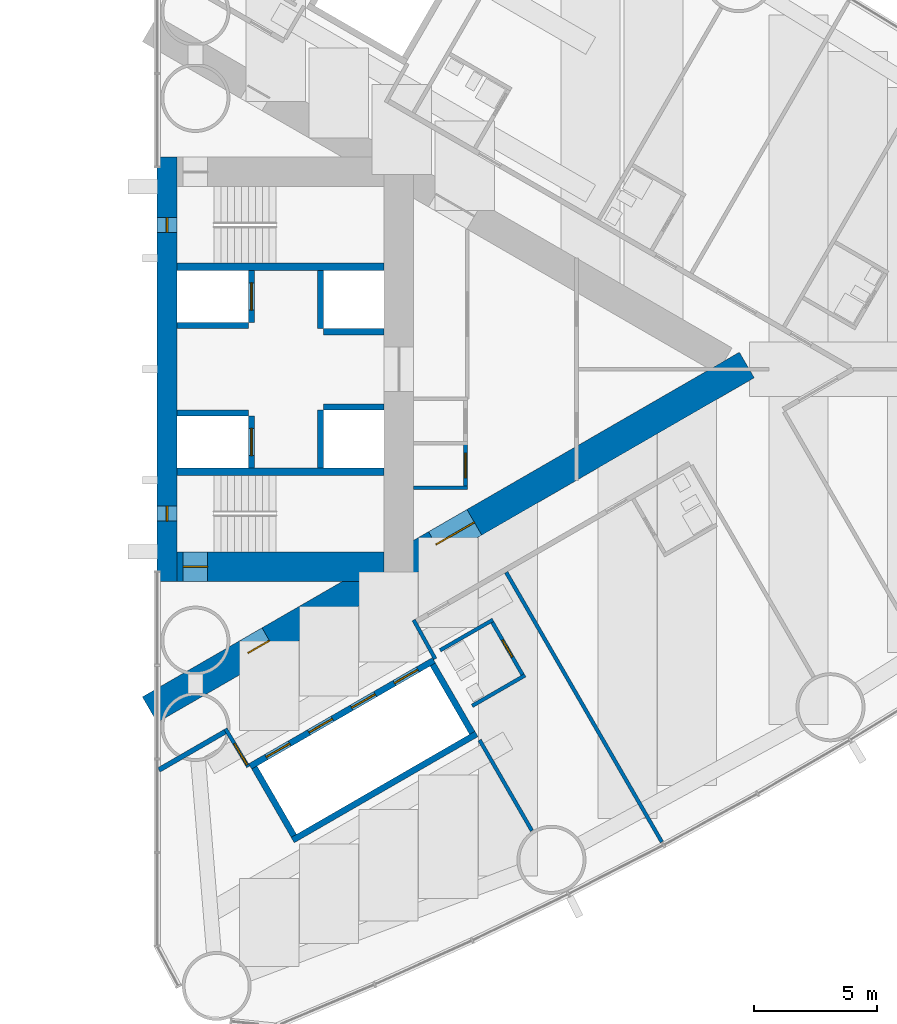
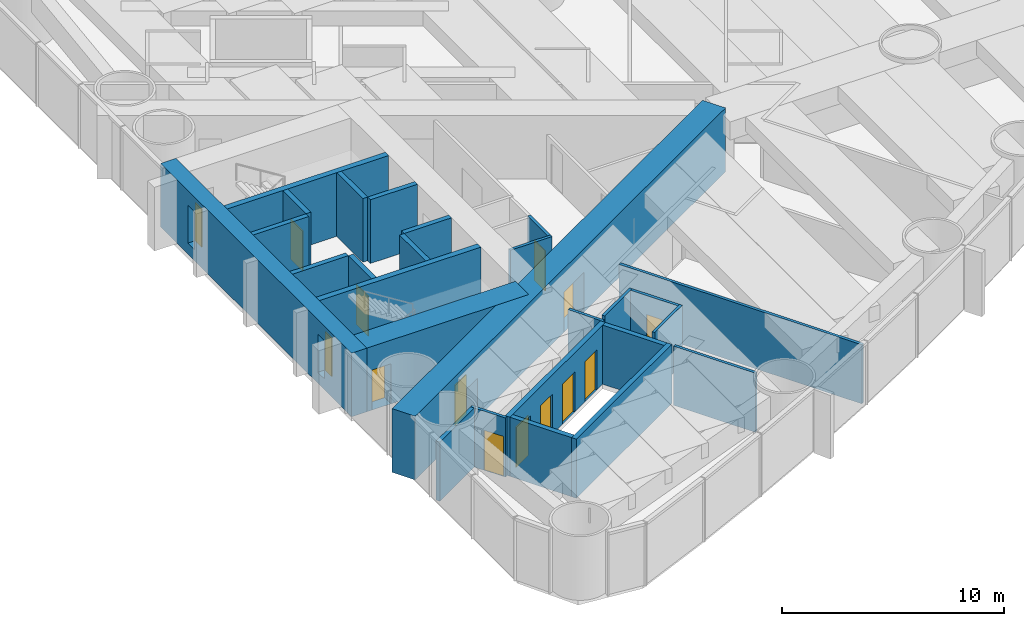
# One storey, part 14 of 19: 27 walls, 12 doors, 2 windows, 14 openings.
"""IFC4 building model written with IfcOpenShell, lengths in metres."""

import ifcopenshell
import ifcopenshell.guid

model = None  # the IFC model being written
_history = None  # IfcOwnerHistory: only IFC2X3 demands one
_inside = {}  # id of a spatial element -> (the spatial element, [elements in it])
_under = {}  # id of a project, library or spatial element -> (it, [spatial elements below it])
_declared = {}  # id of a project -> (the project, [libraries it declares])
_typed = {}  # id of a type object -> (the type object, [elements of that type])
_made_of = {}  # id of a material, layer set ... -> (it, [elements and type objects made of it])


def new_model(schema):
    """Start an empty IFC model of exactly this schema.

    Asked for "IFC4X3", IfcOpenShell would pick the latest addendum, in which some entities
    have other attributes; the version numbers below select the first issue.
    IFC2X3 requires an IfcOwnerHistory on every rooted entity: one is made here for all.
    """
    global model, _history
    if schema == "IFC4X3":
        model = ifcopenshell.file(schema_version=(4, 3, 0, 0))
    else:
        model = ifcopenshell.file(schema=schema)
    _inside.clear()
    _under.clear()
    _declared.clear()
    _typed.clear()
    _made_of.clear()
    _history = None
    if model.schema == "IFC2X3":
        org = make("IfcOrganization", Name="unknown")
        user = make(
            "IfcPersonAndOrganization",
            ThePerson=make("IfcPerson", FamilyName="unknown"),
            TheOrganization=org,
        )
        app = make(
            "IfcApplication",
            ApplicationDeveloper=org,
            Version="unknown",
            ApplicationFullName="unknown",
            ApplicationIdentifier="unknown",
        )
        _history = make(
            "IfcOwnerHistory",
            OwningUser=user,
            OwningApplication=app,
            ChangeAction="ADDED",
            CreationDate=0,
        )
    return model


def make(cls, **values):
    """One entity of the class cls with the attributes given. An attribute that is None is left unset."""
    return model.create_entity(
        cls, **{name: value for name, value in values.items() if value is not None}
    )


def rooted(cls, **values):
    """An entity with a GlobalId (a new one), such as an element, a storey or a relation."""
    return make(cls, GlobalId=ifcopenshell.guid.new(), OwnerHistory=_history, **values)


def si_unit(unit_type, name, prefix=None):
    """IfcSIUnit, for example si_unit("LENGTHUNIT", "METRE", prefix="MILLI")."""
    return make("IfcSIUnit", UnitType=unit_type, Prefix=prefix, Name=name)


def assignment(units):
    """IfcUnitAssignment: the units of a project."""
    return None if units is None else make("IfcUnitAssignment", Units=units)


def point(xyz):
    """IfcCartesianPoint."""
    return None if xyz is None else make("IfcCartesianPoint", Coordinates=xyz)


def direction(xyz):
    """IfcDirection."""
    return None if xyz is None else make("IfcDirection", DirectionRatios=xyz)


def frame(location, z_axis=None, x_axis=None):
    """IfcAxis2Placement3D, a coordinate frame: its origin and axes. An axis left out is left unset."""
    return make(
        "IfcAxis2Placement3D",
        Location=point(location),
        Axis=direction(z_axis),
        RefDirection=direction(x_axis),
    )


def frame_2d(location, x_axis=None):
    """IfcAxis2Placement2D, a coordinate frame in the plane: its origin and x axis."""
    return make(
        "IfcAxis2Placement2D", Location=point(location), RefDirection=direction(x_axis)
    )


def origin():
    """The frame at (0, 0, 0) with its axes left unset."""
    return frame((0.0, 0.0, 0.0))


def place(relative_to, where):
    """IfcLocalPlacement: puts the frame where relative to a parent placement (None: the world)."""
    return make(
        "IfcLocalPlacement", PlacementRelTo=relative_to, RelativePlacement=where
    )


def context(
    kind, dimensions, precision=None, world=None, true_north=None, identifier=None
):
    """IfcGeometricRepresentationContext, for example the 3D "Model" context."""
    return make(
        "IfcGeometricRepresentationContext",
        ContextIdentifier=identifier,
        ContextType=kind,
        CoordinateSpaceDimension=dimensions,
        Precision=precision,
        WorldCoordinateSystem=world,
        TrueNorth=true_north,
    )


def subcontext(parent, identifier, kind, view, scale=None):
    """IfcGeometricRepresentationSubContext, for example "Body" below "Model"."""
    return make(
        "IfcGeometricRepresentationSubContext",
        ContextIdentifier=identifier,
        ContextType=kind,
        ParentContext=parent,
        TargetScale=scale,
        TargetView=view,
    )


def project(units=None, contexts=None):
    """IfcProject with its units and contexts."""
    return rooted(
        "IfcProject",
        Name="project",
        RepresentationContexts=contexts,
        UnitsInContext=assignment(units),
    )


def spatial(cls, under=None, at=None, **own):
    """A site, building, storey or space (cls), placed at a placement, below another one or the project."""
    s = rooted(cls, ObjectPlacement=at, **own)
    if under is not None:
        _under.setdefault(under.id(), (under, []))[1].append(s)
    return s


def profile(cls, at=None, kind="AREA", **sizes):
    """A parametric profile (cls). Its sizes go by their IFC names, for example OverallWidth=200.0."""
    return make(cls, ProfileType=kind, Position=at, **sizes)


def rectangle(**sizes):
    """IfcRectangleProfileDef."""
    return profile("IfcRectangleProfileDef", **sizes)


def extrude(swept, where, along, depth):
    """IfcExtrudedAreaSolid: the profile swept, set in the frame where, extruded along a direction by depth."""
    return make(
        "IfcExtrudedAreaSolid",
        SweptArea=swept,
        Position=where,
        ExtrudedDirection=direction(along),
        Depth=depth,
    )


def shape(context_of_items, identifier, shape_type, items):
    """IfcShapeRepresentation: the items that make up one representation, for example the "Body"."""
    return make(
        "IfcShapeRepresentation",
        ContextOfItems=context_of_items,
        RepresentationIdentifier=identifier,
        RepresentationType=shape_type,
        Items=items,
    )


def material(Name=None, Category=None):
    """IfcMaterial."""
    return make("IfcMaterial", Name=Name, Category=Category)


def layer(
    of_material, thickness, ventilated=None, Name=None, Category=None, Priority=None
):
    """IfcMaterialLayer: one layer of a wall or slab, of a material (None: an air gap)."""
    return make(
        "IfcMaterialLayer",
        Material=of_material,
        LayerThickness=thickness,
        IsVentilated=ventilated,
        Name=Name,
        Category=Category,
        Priority=Priority,
    )


def layer_set(layers, Name=None):
    """IfcMaterialLayerSet."""
    return make("IfcMaterialLayerSet", MaterialLayers=layers, LayerSetName=Name)


def made_of(thing, what):
    """Note that an element or type object is made of a material, layer set ...; save() writes the relation."""
    if what is not None:
        _made_of.setdefault(what.id(), (what, []))[1].append(thing)
    return thing


def type_object(cls, material=None, **own):
    """A type object (cls), such as IfcWallType, which elements share."""
    return made_of(rooted(cls, **own), material)


def element(
    cls,
    number,
    at=None,
    inside=None,
    cuts=None,
    type_object=None,
    material=None,
    context=None,
    identifier="Body",
    shape_type=None,
    held_by="IfcProductDefinitionShape",
    body=None,
    shapes=None,
    **own,
):
    """One element of the class cls, such as IfcWall. Its Tag is "e" and its number.

    at: its placement. inside: the storey or other place that contains it. cuts: it is an
    opening in that element (IfcRelVoidsElement). A single representation is given by context,
    identifier, shape_type and body (its items); several are given by shapes. held_by: the class
    of the entity that holds the representations. save() writes the other relations.
    """
    e = rooted(cls, Tag="e%d" % number, ObjectPlacement=at, **own)
    if body is not None:
        shapes = [shape(context, identifier, shape_type, body)]
    if shapes is not None:
        e.Representation = make(held_by, Representations=shapes)
    if inside is not None:
        _inside.setdefault(inside.id(), (inside, []))[1].append(e)
    if cuts is not None:
        rooted(
            "IfcRelVoidsElement", RelatingBuildingElement=cuts, RelatedOpeningElement=e
        )
    if type_object is not None:
        _typed.setdefault(type_object.id(), (type_object, []))[1].append(e)
    return made_of(e, material)


def fill(opening, filler):
    """IfcRelFillsElement: the door or window that sits in an opening."""
    return rooted(
        "IfcRelFillsElement",
        RelatingOpeningElement=opening,
        RelatedBuildingElement=filler,
    )


def aggregate(whole, parts):
    """IfcRelAggregates: a whole, such as a stair, and the parts it consists of."""
    return rooted("IfcRelAggregates", RelatingObject=whole, RelatedObjects=parts)


def save(model, path):
    """Write the relations noted so far, then the file.

    IfcRelAggregates (storeys below a building ...), IfcRelContainedInSpatialStructure (elements
    in a storey), IfcRelDefinesByType, IfcRelAssociatesMaterial and IfcRelDeclares: one each for
    every whole, place, type object, material and project.
    """
    for whole, parts in _under.values():
        aggregate(whole, parts)
    for where, things in _inside.values():
        rooted(
            "IfcRelContainedInSpatialStructure",
            RelatedElements=things,
            RelatingStructure=where,
        )
    for kind, things in _typed.values():
        rooted("IfcRelDefinesByType", RelatedObjects=things, RelatingType=kind)
    for what, things in _made_of.values():
        rooted("IfcRelAssociatesMaterial", RelatedObjects=things, RelatingMaterial=what)
    for by, libraries in _declared.values():
        rooted("IfcRelDeclares", RelatingContext=by, RelatedDefinitions=libraries)
    model.write(path)


model = new_model("IFC4")

# Units and contexts
model_context = context("Model", 3, precision=1e-05, world=origin(), true_north=direction((0.0, 1.0)))
body_context = subcontext(model_context, "Body", "Model", "MODEL_VIEW")
ifc_project = project(units=[si_unit("LENGTHUNIT", "METRE"), si_unit("AREAUNIT", "SQUARE_METRE"), si_unit("VOLUMEUNIT", "CUBIC_METRE"), si_unit("PLANEANGLEUNIT", "RADIAN"), si_unit("MASSUNIT", "GRAM", prefix="KILO")], contexts=[model_context])

# Site, building, storey
site_placement = place(None, origin())
site = spatial("IfcSite", under=ifc_project, at=site_placement, CompositionType="ELEMENT")
building_placement = place(site_placement, origin())
building = spatial("IfcBuilding", under=site, at=building_placement, Name="Lancet Gate Hotel", CompositionType="ELEMENT")
storey_placement = place(building_placement, frame((0.0, 0.0, 74.0)))
storey = spatial("IfcBuildingStorey", under=building, at=storey_placement, Name="L19", CompositionType="ELEMENT", Elevation=74.0)

# Wall
ifc_material_1 = material(Name="Moisture resistant board partition")
ifc_layer_1 = layer(ifc_material_1, 0.14990234375)
ifc_layer_set_1 = layer_set([ifc_layer_1], Name="Bathroom wall 150")
wall_type_1 = type_object("IfcWallType", Name="Bathroom wall 150", PredefinedType="PARTITIONING", material=ifc_layer_set_1)
wall_1_placement = place(storey_placement, frame((40.269775390625, -13.644287109375, 0.0), z_axis=(0.0, 0.0, 1.0), x_axis=(0.866031185235, 0.4999899861, 0.0)))
element("IfcWall", 1, at=wall_1_placement, inside=storey, type_object=wall_type_1, Name="T2 bathroom wall 150 L19", PredefinedType="PARTITIONING", context=body_context, shape_type="SweptSolid", body=[
    extrude(rectangle(XDim=2.47509765625, YDim=0.14990234375, at=frame_2d((1.237548828125, 0.0))), origin(), (0.0, 0.0, 1.0), 3.25),
])

# Wall, opening, door
wall_2_placement = place(storey_placement, frame((41.04833984375, -10.192626953125, 0.0), z_axis=(0.0, 0.0, 1.0), x_axis=(0.500047596559, -0.865997922154, 0.0)))
wall_2 = element("IfcWall", 2, at=wall_2_placement, inside=storey, type_object=wall_type_1, Name="T2 bathroom wall 150 L19", PredefinedType="PARTITIONING", context=body_context, shape_type="SweptSolid", body=[
    extrude(rectangle(XDim=2.599853515625, YDim=0.14990234375, at=frame_2d((1.2998046875, 0.0))), origin(), (0.0, 0.0, 1.0), 3.25),
])
opening_1_placement = place(wall_2_placement, frame((0.89990234375, 0.0, 0.0)))
opening_1 = element("IfcOpeningElement", 3, at=opening_1_placement, cuts=wall_2, Name="Opening 1953-B", PredefinedType="OPENING", context=body_context, shape_type="SweptSolid", body=[
    extrude(rectangle(XDim=0.800048828125, YDim=2.199951171875, at=frame_2d((0.39990234375, 1.10009765625))), frame((0.0, 0.0849609375, 0.0), z_axis=(0.0, -1.0, 0.0), x_axis=(1.0, 0.0, 0.0)), (0.0, 0.0, 1.0), 0.169921875),
])
ifc_material_2 = material(Name="Timber door set", Category="wood")
door_type_1 = type_object("IfcDoorType", Name="Bathroom door 800", OperationType="SINGLE_SWING_RIGHT", PredefinedType="DOOR", material=ifc_material_2)
door_1_placement = place(opening_1_placement, origin())
door_1 = element("IfcDoor", 4, at=door_1_placement, inside=storey, type_object=door_type_1, Name="1953-B", OperationType="SINGLE_SWING_RIGHT", OverallHeight=2.199951171875, OverallWidth=0.800048828125, PredefinedType="DOOR", context=body_context, shape_type="SweptSolid", body=[
    extrude(rectangle(XDim=0.800048828125, YDim=2.199951171875, at=frame_2d((0.39990234375, 1.10009765625))), frame((0.0, 0.02490234375, 0.0), z_axis=(0.0, -1.0, 0.0), x_axis=(1.0, 0.0, 0.0)), (0.0, 0.0, 1.0), 0.050048828125),
])
fill(opening_1, door_1)

# Wall
wall_3_placement = place(storey_placement, frame((38.9697265625, -11.392578125, 0.0), z_axis=(0.0, 0.0, 1.0), x_axis=(0.866031185235, 0.4999899861, 0.0)))
element("IfcWall", 5, at=wall_3_placement, inside=storey, type_object=wall_type_1, Name="T2 bathroom wall 150 L19", PredefinedType="PARTITIONING", context=body_context, shape_type="SweptSolid", body=[
    extrude(rectangle(XDim=2.47509765625, YDim=0.14990234375, at=frame_2d((1.237548828125, 0.0))), origin(), (0.0, 0.0, 1.0), 3.25),
])

# Wall, openings, doors
ifc_material_3 = material(Name="Concrete C70/85", Category="concrete")
ifc_layer_2 = layer(ifc_material_3, 1.199951171875)
ifc_layer_set_2 = layer_set([ifc_layer_2], Name="Buttress wall 1200")
wall_type_2 = type_object("IfcWallType", Name="Buttress wall 1200", PredefinedType="SHEAR", material=ifc_layer_set_2)
wall_4_placement = place(storey_placement, frame((27.199951171875, -13.800048828125, 0.0), z_axis=(0.0, 0.0, 1.0), x_axis=(0.866027159892, 0.499996958321, 0.0)))
wall_4 = element("IfcWall", 6, at=wall_4_placement, inside=storey, type_object=wall_type_2, Name="T2 buttress wall S L19", PredefinedType="SHEAR", context=body_context, shape_type="SweptSolid", body=[
    extrude(rectangle(XDim=27.946533203125, YDim=1.199951171875, at=frame_2d((13.97314453125, 0.0))), origin(), (0.0, 0.0, 1.0), 3.5),
])
opening_2_placement = place(wall_4_placement, frame((4.60009765625, 0.0, 0.0)))
opening_2 = element("IfcOpeningElement", 7, at=opening_2_placement, cuts=wall_4, Name="Opening T2-L19-LS", PredefinedType="OPENING", context=body_context, shape_type="SweptSolid", body=[
    extrude(rectangle(XDim=1.0, YDim=2.199951171875, at=frame_2d((0.5, 1.10009765625))), frame((0.0, 0.60986328125, 0.0), z_axis=(0.0, -1.0, 0.0), x_axis=(1.0, 0.0, 0.0)), (0.0, 0.0, 1.0), 1.219970703125),
])
opening_3_placement = place(wall_4_placement, frame((13.39453125, 0.0, 0.0)))
opening_3 = element("IfcOpeningElement", 8, at=opening_3_placement, cuts=wall_4, Name="Opening T2-L19-LHS", PredefinedType="OPENING", context=body_context, shape_type="SweptSolid", body=[
    extrude(rectangle(XDim=1.800048828125, YDim=2.199951171875, at=frame_2d((0.89990234375, 1.10009765625))), frame((0.0, 0.60986328125, 0.0), z_axis=(0.0, -1.0, 0.0), x_axis=(1.0, 0.0, 0.0)), (0.0, 0.0, 1.0), 1.219970703125),
])
ifc_material_4 = material(Name="Timber door set", Category="wood")
door_type_2 = type_object("IfcDoorType", Name="Lobby double door 1800", OperationType="DOUBLE_DOOR_SINGLE_SWING", PredefinedType="DOOR", material=ifc_material_4)
door_2_placement = place(opening_3_placement, origin())
door_2 = element("IfcDoor", 9, at=door_2_placement, inside=storey, type_object=door_type_2, Name="T2-L19-LHS", OperationType="DOUBLE_DOOR_SINGLE_SWING", OverallHeight=2.199951171875, OverallWidth=1.800048828125, PredefinedType="DOOR", context=body_context, shape_type="SweptSolid", body=[
    extrude(rectangle(XDim=1.800048828125, YDim=2.199951171875, at=frame_2d((0.89990234375, 1.10009765625))), frame((0.0, 0.02490234375, 0.0), z_axis=(0.0, -1.0, 0.0), x_axis=(1.0, 0.0, 0.0)), (0.0, 0.0, 1.0), 0.050048828125),
])
fill(opening_3, door_2)
ifc_material_5 = material(Name="Timber door set", Category="wood")
door_type_3 = type_object("IfcDoorType", Name="Stair lobby door 1000", OperationType="SINGLE_SWING_LEFT", PredefinedType="DOOR", material=ifc_material_5)
door_3_placement = place(opening_2_placement, origin())
door_3 = element("IfcDoor", 10, at=door_3_placement, inside=storey, type_object=door_type_3, Name="T2-L19-LS", OperationType="SINGLE_SWING_LEFT", OverallHeight=2.199951171875, OverallWidth=1.0, PredefinedType="DOOR", context=body_context, shape_type="SweptSolid", body=[
    extrude(rectangle(XDim=1.0, YDim=2.199951171875, at=frame_2d((0.5, 1.10009765625))), frame((0.0, 0.02490234375, 0.0), z_axis=(0.0, -1.0, 0.0), x_axis=(1.0, 0.0, 0.0)), (0.0, 0.0, 1.0), 0.050048828125),
])
fill(opening_2, door_3)

# Wall, opening, door
ifc_material_6 = material(Name="Concrete C70/85", Category="concrete")
ifc_layer_3 = layer(ifc_material_6, 1.199951171875)
ifc_layer_set_3 = layer_set([ifc_layer_3], Name="Core wall 1200")
wall_type_3 = type_object("IfcWallType", Name="Core wall 1200", PredefinedType="SHEAR", material=ifc_layer_set_3)
wall_5_placement = place(storey_placement, frame((28.300048828125, -8.0, 0.0), z_axis=(0.0, 0.0, 1.0), x_axis=(1.0, 0.0, 0.0)))
wall_5 = element("IfcWall", 11, at=wall_5_placement, inside=storey, type_object=wall_type_3, Name="T2 core wall side-S L19", PredefinedType="SHEAR", context=body_context, shape_type="SweptSolid", body=[
    extrude(rectangle(XDim=8.39990234375, YDim=1.199951171875, at=frame_2d((4.199951171875, 0.0))), origin(), (0.0, 0.0, 1.0), 3.5),
])
opening_4_placement = place(wall_5_placement, frame((0.25, 0.0, 0.0)))
opening_4 = element("IfcOpeningElement", 12, at=opening_4_placement, cuts=wall_5, Name="Opening T2-L19-ST1", PredefinedType="OPENING", context=body_context, shape_type="SweptSolid", body=[
    extrude(rectangle(XDim=1.0, YDim=2.199951171875, at=frame_2d((0.5, 1.10009765625))), frame((0.0, 0.60986328125, 0.0), z_axis=(0.0, -1.0, 0.0), x_axis=(1.0, 0.0, 0.0)), (0.0, 0.0, 1.0), 1.219970703125),
])
ifc_material_7 = material(Name="Timber door set", Category="wood")
door_type_4 = type_object("IfcDoorType", Name="Stair door 1000", OperationType="SINGLE_SWING_RIGHT", PredefinedType="DOOR", material=ifc_material_7)
door_4_placement = place(opening_4_placement, origin())
door_4 = element("IfcDoor", 13, at=door_4_placement, inside=storey, type_object=door_type_4, Name="T2-L19-ST1", OperationType="SINGLE_SWING_RIGHT", OverallHeight=2.199951171875, OverallWidth=1.0, PredefinedType="DOOR", context=body_context, shape_type="SweptSolid", body=[
    extrude(rectangle(XDim=1.0, YDim=2.199951171875, at=frame_2d((0.5, 1.10009765625))), frame((0.0, 0.02490234375, 0.0), z_axis=(0.0, -1.0, 0.0), x_axis=(1.0, 0.0, 0.0)), (0.0, 0.0, 1.0), 0.050048828125),
])
fill(opening_4, door_4)

# Wall, openings, windows
ifc_material_8 = material(Name="Concrete C70/85", Category="concrete")
ifc_layer_4 = layer(ifc_material_8, 0.800048828125)
ifc_layer_set_4 = layer_set([ifc_layer_4], Name="Core wall 800")
wall_type_4 = type_object("IfcWallType", Name="Core wall 800", PredefinedType="SHEAR", material=ifc_layer_set_4)
wall_6_placement = place(storey_placement, frame((27.89990234375, -8.60009765625, 0.0), z_axis=(0.0, 0.0, 1.0), x_axis=(0.0, 1.0, 0.0)))
wall_6 = element("IfcWall", 14, at=wall_6_placement, inside=storey, type_object=wall_type_4, Name="T2 core wall front L19", PredefinedType="SHEAR", context=body_context, shape_type="SweptSolid", body=[
    extrude(rectangle(XDim=17.2001953125, YDim=0.800048828125, at=frame_2d((8.60009765625, 0.0))), origin(), (0.0, 0.0, 1.0), 3.5),
])
opening_5_placement = place(wall_6_placement, frame((2.449951171875, 0.0, 0.60009765625)))
opening_5 = element("IfcOpeningElement", 15, at=opening_5_placement, cuts=wall_6, Name="Opening LW1", PredefinedType="OPENING", context=body_context, shape_type="SweptSolid", body=[
    extrude(rectangle(XDim=0.60009765625, YDim=2.10009765625, at=frame_2d((0.300048828125, 1.050048828125))), frame((0.0, 0.409912109375, 0.0), z_axis=(0.0, -1.0, 0.0), x_axis=(1.0, 0.0, 0.0)), (0.0, 0.0, 1.0), 0.820068359375),
])
opening_6_placement = place(wall_6_placement, frame((14.14990234375, 0.0, 0.60009765625)))
opening_6 = element("IfcOpeningElement", 16, at=opening_6_placement, cuts=wall_6, Name="Opening LW1", PredefinedType="OPENING", context=body_context, shape_type="SweptSolid", body=[
    extrude(rectangle(XDim=0.60009765625, YDim=2.10009765625, at=frame_2d((0.300048828125, 1.050048828125))), frame((0.0, 0.409912109375, 0.0), z_axis=(0.0, -1.0, 0.0), x_axis=(1.0, 0.0, 0.0)), (0.0, 0.0, 1.0), 0.820068359375),
])
ifc_material_9 = material(Name="Fire-resisting glazed steel window", Category="steel")
window_type = type_object("IfcWindowType", Name="Lancet window 600x2100", PartitioningType="SINGLE_PANEL", PredefinedType="WINDOW", material=ifc_material_9)
window_1_placement = place(opening_5_placement, origin())
window_1 = element("IfcWindow", 17, at=window_1_placement, inside=storey, type_object=window_type, Name="T2 stair window S L19", OverallHeight=2.10009765625, OverallWidth=0.60009765625, PartitioningType="SINGLE_PANEL", PredefinedType="WINDOW", context=body_context, shape_type="SweptSolid", body=[
    extrude(rectangle(XDim=0.60009765625, YDim=2.10009765625, at=frame_2d((0.300048828125, 1.050048828125))), frame((0.0, 0.030029296875, 0.0), z_axis=(0.0, -1.0, 0.0), x_axis=(1.0, 0.0, 0.0)), (0.0, 0.0, 1.0), 0.06005859375),
])
fill(opening_5, window_1)
window_2_placement = place(opening_6_placement, origin())
window_2 = element("IfcWindow", 18, at=window_2_placement, inside=storey, type_object=window_type, Name="T2 stair window N L19", OverallHeight=2.10009765625, OverallWidth=0.60009765625, PartitioningType="SINGLE_PANEL", PredefinedType="WINDOW", context=body_context, shape_type="SweptSolid", body=[
    extrude(rectangle(XDim=0.60009765625, YDim=2.10009765625, at=frame_2d((0.300048828125, 1.050048828125))), frame((0.0, 0.030029296875, 0.0), z_axis=(0.0, -1.0, 0.0), x_axis=(1.0, 0.0, 0.0)), (0.0, 0.0, 1.0), 0.06005859375),
])
fill(opening_6, window_2)

# Wall
ifc_material_10 = material(Name="Gypsum board partition")
ifc_layer_5 = layer(ifc_material_10, 0.199951171875)
ifc_layer_set_5 = layer_set([ifc_layer_5], Name="Corridor wall 200")
wall_type_5 = type_object("IfcWallType", Name="Corridor wall 200", PredefinedType="PARTITIONING", material=ifc_layer_set_5)
wall_7_placement = place(storey_placement, frame((27.572021484375, -16.240966796875, 0.0), z_axis=(0.0, 0.0, 1.0), x_axis=(0.866029654818, 0.499992636921, 0.0)))
element("IfcWall", 19, at=wall_7_placement, inside=storey, type_object=wall_type_5, Name="T2 corridor wall 200 L19", PredefinedType="PARTITIONING", context=body_context, shape_type="SweptSolid", body=[
    extrude(rectangle(XDim=3.15478515625, YDim=0.199951171875, at=frame_2d((1.577392578125, 0.0))), origin(), (0.0, 0.0, 1.0), 3.25),
])

# Wall, openings, doors
ifc_material_11 = material(Name="Gypsum board partition")
ifc_layer_6 = layer(ifc_material_11, 0.25)
ifc_layer_set_6 = layer_set([ifc_layer_6], Name="Lift shaft partition 250")
wall_type_6 = type_object("IfcWallType", Name="Lift shaft partition 250", PredefinedType="PARTITIONING", material=ifc_layer_set_6)
wall_8_placement = place(storey_placement, frame((31.2705078125, -16.09716796875, 0.0), z_axis=(0.0, 0.0, 1.0), x_axis=(0.86604045752, 0.499973925258, 0.0)))
wall_8 = element("IfcWall", 20, at=wall_8_placement, inside=storey, type_object=wall_type_6, Name="T2 lift shaft wall LR L19", PredefinedType="PARTITIONING", context=body_context, shape_type="SweptSolid", body=[
    extrude(rectangle(XDim=8.60009765625, YDim=0.25, at=frame_2d((4.300048828125, 0.0))), origin(), (0.0, 0.0, 1.0), 3.25),
])
opening_7_placement = place(wall_8_placement, frame((0.75, 0.0, 0.0)))
opening_7 = element("IfcOpeningElement", 21, at=opening_7_placement, cuts=wall_8, Name="Opening T2-LR1-L19", PredefinedType="OPENING", context=body_context, shape_type="SweptSolid", body=[
    extrude(rectangle(XDim=1.10009765625, YDim=2.199951171875, at=frame_2d((0.550048828125, 1.10009765625))), frame((0.0, 0.135009765625, 0.0), z_axis=(0.0, -1.0, 0.0), x_axis=(1.0, 0.0, 0.0)), (0.0, 0.0, 1.0), 0.27001953125),
])
opening_8_placement = place(wall_8_placement, frame((2.75, 0.0, 0.0)))
opening_8 = element("IfcOpeningElement", 22, at=opening_8_placement, cuts=wall_8, Name="Opening T2-LR2-L19", PredefinedType="OPENING", context=body_context, shape_type="SweptSolid", body=[
    extrude(rectangle(XDim=1.10009765625, YDim=2.199951171875, at=frame_2d((0.550048828125, 1.10009765625))), frame((0.0, 0.135009765625, 0.0), z_axis=(0.0, -1.0, 0.0), x_axis=(1.0, 0.0, 0.0)), (0.0, 0.0, 1.0), 0.27001953125),
])
opening_9_placement = place(wall_8_placement, frame((4.75, 0.0, 0.0)))
opening_9 = element("IfcOpeningElement", 23, at=opening_9_placement, cuts=wall_8, Name="Opening T2-LR3-L19", PredefinedType="OPENING", context=body_context, shape_type="SweptSolid", body=[
    extrude(rectangle(XDim=1.10009765625, YDim=2.199951171875, at=frame_2d((0.550048828125, 1.10009765625))), frame((0.0, 0.135009765625, 0.0), z_axis=(0.0, -1.0, 0.0), x_axis=(1.0, 0.0, 0.0)), (0.0, 0.0, 1.0), 0.27001953125),
])
opening_10_placement = place(wall_8_placement, frame((6.75, 0.0, 0.0)))
opening_10 = element("IfcOpeningElement", 24, at=opening_10_placement, cuts=wall_8, Name="Opening T2-LR4-L19", PredefinedType="OPENING", context=body_context, shape_type="SweptSolid", body=[
    extrude(rectangle(XDim=1.10009765625, YDim=2.199951171875, at=frame_2d((0.550048828125, 1.10009765625))), frame((0.0, 0.135009765625, 0.0), z_axis=(0.0, -1.0, 0.0), x_axis=(1.0, 0.0, 0.0)), (0.0, 0.0, 1.0), 0.27001953125),
])
ifc_material_12 = material(Name="Steel door set", Category="steel")
door_type_5 = type_object("IfcDoorType", Name="Lift landing door 1100", OperationType="DOUBLE_DOOR_SLIDING", PredefinedType="USERDEFINED", material=ifc_material_12)
door_5_placement = place(opening_7_placement, origin())
door_5 = element("IfcDoor", 25, at=door_5_placement, inside=storey, type_object=door_type_5, Name="T2-LR1-L19", ObjectType="LIFT LANDING DOOR", OperationType="DOUBLE_DOOR_SLIDING", OverallHeight=2.199951171875, OverallWidth=1.10009765625, PredefinedType="USERDEFINED", context=body_context, shape_type="SweptSolid", body=[
    extrude(rectangle(XDim=1.10009765625, YDim=2.199951171875, at=frame_2d((0.550048828125, 1.10009765625))), frame((0.0, 0.02490234375, 0.0), z_axis=(0.0, -1.0, 0.0), x_axis=(1.0, 0.0, 0.0)), (0.0, 0.0, 1.0), 0.050048828125),
])
fill(opening_7, door_5)
door_6_placement = place(opening_8_placement, origin())
door_6 = element("IfcDoor", 26, at=door_6_placement, inside=storey, type_object=door_type_5, Name="T2-LR2-L19", ObjectType="LIFT LANDING DOOR", OperationType="DOUBLE_DOOR_SLIDING", OverallHeight=2.199951171875, OverallWidth=1.10009765625, PredefinedType="USERDEFINED", context=body_context, shape_type="SweptSolid", body=[
    extrude(rectangle(XDim=1.10009765625, YDim=2.199951171875, at=frame_2d((0.550048828125, 1.10009765625))), frame((0.0, 0.02490234375, 0.0), z_axis=(0.0, -1.0, 0.0), x_axis=(1.0, 0.0, 0.0)), (0.0, 0.0, 1.0), 0.050048828125),
])
fill(opening_8, door_6)
door_7_placement = place(opening_9_placement, origin())
door_7 = element("IfcDoor", 27, at=door_7_placement, inside=storey, type_object=door_type_5, Name="T2-LR3-L19", ObjectType="LIFT LANDING DOOR", OperationType="DOUBLE_DOOR_SLIDING", OverallHeight=2.199951171875, OverallWidth=1.10009765625, PredefinedType="USERDEFINED", context=body_context, shape_type="SweptSolid", body=[
    extrude(rectangle(XDim=1.10009765625, YDim=2.199951171875, at=frame_2d((0.550048828125, 1.10009765625))), frame((0.0, 0.02490234375, 0.0), z_axis=(0.0, -1.0, 0.0), x_axis=(1.0, 0.0, 0.0)), (0.0, 0.0, 1.0), 0.050048828125),
])
fill(opening_9, door_7)
door_8_placement = place(opening_10_placement, origin())
door_8 = element("IfcDoor", 28, at=door_8_placement, inside=storey, type_object=door_type_5, Name="T2-LR4-L19", ObjectType="LIFT LANDING DOOR", OperationType="DOUBLE_DOOR_SLIDING", OverallHeight=2.199951171875, OverallWidth=1.10009765625, PredefinedType="USERDEFINED", context=body_context, shape_type="SweptSolid", body=[
    extrude(rectangle(XDim=1.10009765625, YDim=2.199951171875, at=frame_2d((0.550048828125, 1.10009765625))), frame((0.0, 0.02490234375, 0.0), z_axis=(0.0, -1.0, 0.0), x_axis=(1.0, 0.0, 0.0)), (0.0, 0.0, 1.0), 0.050048828125),
])
fill(opening_10, door_8)

# Walls
wall_9_placement = place(storey_placement, frame((32.99560546875, -19.085693359375, 0.0), z_axis=(0.0, 0.0, 1.0), x_axis=(0.866028165386, 0.499995216735, 0.0)))
element("IfcWall", 29, at=wall_9_placement, inside=storey, type_object=wall_type_6, Name="T2 lift shaft wall LR L19", PredefinedType="PARTITIONING", context=body_context, shape_type="SweptSolid", body=[
    extrude(rectangle(XDim=8.60009765625, YDim=0.25, at=frame_2d((4.300048828125, 0.0))), origin(), (0.0, 0.0, 1.0), 3.25),
])
for number, where, z_axis, x_axis, name in (
    (30, (31.441162109375, -16.14306640625, 0.0), (0.0, 0.0, 1.0), (0.499929347863, -0.866066190972, 0.0), "T2 lift shaft wall LR L19"),
    (31, (38.672607421875, -11.968017578125, 0.0), (0.0, 0.0, 1.0), (0.499929347863, -0.866066190972, 0.0), "T2 lift shaft wall LR L19"),
):
    element("IfcWall", number, at=place(storey_placement, frame(where, z_axis=z_axis, x_axis=x_axis)), inside=storey, type_object=wall_type_6, Name=name, PredefinedType="PARTITIONING", context=body_context, shape_type="SweptSolid", body=[
        extrude(rectangle(XDim=3.20068359375, YDim=0.25, at=frame_2d((1.600341796875, 0.0))), origin(), (0.0, 0.0, 1.0), 3.25),
    ])

# Wall, opening, door
ifc_material_13 = material(Name="Concrete C50/60", Category="concrete")
ifc_layer_7 = layer(ifc_material_13, 0.25)
ifc_layer_set_7 = layer_set([ifc_layer_7], Name="Lift shaft wall 250")
wall_type_7 = type_object("IfcWallType", Name="Lift shaft wall 250", PredefinedType="SHEAR", material=ifc_layer_set_7)
wall_10_placement = place(storey_placement, frame((31.324951171875, -4.0, 0.0), z_axis=(0.0, 0.0, 1.0), x_axis=(0.0, 1.0, 0.0)))
wall_10 = element("IfcWall", 32, at=wall_10_placement, inside=storey, type_object=wall_type_7, Name="T2 core wall row1-S L19", PredefinedType="SHEAR", context=body_context, shape_type="SweptSolid", body=[
    extrude(rectangle(XDim=2.10009765625, YDim=0.25, at=frame_2d((1.050048828125, 0.0))), origin(), (0.0, 0.0, 1.0), 3.5),
])
opening_11_placement = place(wall_10_placement, frame((0.5, 0.0, 0.0)))
opening_11 = element("IfcOpeningElement", 33, at=opening_11_placement, cuts=wall_10, Name="Opening T2-SL1-L19", PredefinedType="OPENING", context=body_context, shape_type="SweptSolid", body=[
    extrude(rectangle(XDim=1.10009765625, YDim=2.199951171875, at=frame_2d((0.550048828125, 1.10009765625))), frame((0.0, 0.135009765625, 0.0), z_axis=(0.0, -1.0, 0.0), x_axis=(1.0, 0.0, 0.0)), (0.0, 0.0, 1.0), 0.27001953125),
])
ifc_material_14 = material(Name="Timber door set", Category="wood")
door_type_6 = type_object("IfcDoorType", Name="Service lift landing door 1100", OperationType="SLIDING_TO_LEFT", PredefinedType="USERDEFINED", material=ifc_material_14)
door_9_placement = place(opening_11_placement, origin())
door_9 = element("IfcDoor", 34, at=door_9_placement, inside=storey, type_object=door_type_6, Name="T2-SL1-L19", ObjectType="LIFT LANDING DOOR", OperationType="SLIDING_TO_LEFT", OverallHeight=2.199951171875, OverallWidth=1.10009765625, PredefinedType="USERDEFINED", context=body_context, shape_type="SweptSolid", body=[
    extrude(rectangle(XDim=1.10009765625, YDim=2.199951171875, at=frame_2d((0.550048828125, 1.10009765625))), frame((0.0, 0.02490234375, 0.0), z_axis=(0.0, -1.0, 0.0), x_axis=(1.0, 0.0, 0.0)), (0.0, 0.0, 1.0), 0.050048828125),
])
fill(opening_11, door_9)

# Walls
wall_11_placement = place(storey_placement, frame((34.125, -4.0, 0.0), z_axis=(0.0, 0.0, 1.0), x_axis=(0.0, 1.0, 0.0)))
element("IfcWall", 35, at=wall_11_placement, inside=storey, type_object=wall_type_7, Name="T2 core wall row2-S L19", PredefinedType="SHEAR", context=body_context, shape_type="SweptSolid", body=[
    extrude(rectangle(XDim=2.35009765625, YDim=0.25, at=frame_2d((1.175048828125, 0.0))), origin(), (0.0, 0.0, 1.0), 3.5),
])
wall_12_placement = place(storey_placement, frame((28.300048828125, -1.77490234375, 0.0), z_axis=(0.0, 0.0, 1.0), x_axis=(1.0, 0.0, 0.0)))
element("IfcWall", 36, at=wall_12_placement, inside=storey, type_object=wall_type_7, Name="T2 core wall pass1-S L19", PredefinedType="SHEAR", context=body_context, shape_type="SweptSolid", body=[
    extrude(rectangle(XDim=2.89990234375, YDim=0.25, at=frame_2d((1.449951171875, 0.0))), origin(), (0.0, 0.0, 1.0), 3.5),
])
wall_13_placement = place(storey_placement, frame((34.25, -1.52490234375, 0.0), z_axis=(0.0, 0.0, 1.0), x_axis=(1.0, 0.0, 0.0)))
element("IfcWall", 37, at=wall_13_placement, inside=storey, type_object=wall_type_7, Name="T2 core wall pass2-S L19", PredefinedType="SHEAR", context=body_context, shape_type="SweptSolid", body=[
    extrude(rectangle(XDim=2.449951171875, YDim=0.25, at=frame_2d((1.22509765625, 0.0))), origin(), (0.0, 0.0, 1.0), 3.5),
])

# Wall, opening, door
wall_14_placement = place(storey_placement, frame((31.324951171875, 1.89990234375, 0.0), z_axis=(0.0, 0.0, 1.0), x_axis=(0.0, 1.0, 0.0)))
wall_14 = element("IfcWall", 38, at=wall_14_placement, inside=storey, type_object=wall_type_7, Name="T2 core wall row1-N L19", PredefinedType="SHEAR", context=body_context, shape_type="SweptSolid", body=[
    extrude(rectangle(XDim=2.10009765625, YDim=0.25, at=frame_2d((1.050048828125, 0.0))), origin(), (0.0, 0.0, 1.0), 3.5),
])
opening_12_placement = place(wall_14_placement, frame((0.5, 0.0, 0.0)))
opening_12 = element("IfcOpeningElement", 39, at=opening_12_placement, cuts=wall_14, Name="Opening T2-FL2-L19", PredefinedType="OPENING", context=body_context, shape_type="SweptSolid", body=[
    extrude(rectangle(XDim=1.10009765625, YDim=2.199951171875, at=frame_2d((0.550048828125, 1.10009765625))), frame((0.0, 0.135009765625, 0.0), z_axis=(0.0, -1.0, 0.0), x_axis=(1.0, 0.0, 0.0)), (0.0, 0.0, 1.0), 0.27001953125),
])
ifc_material_15 = material(Name="Steel door set", Category="steel")
door_type_7 = type_object("IfcDoorType", Name="Firefighting lift landing door 1100", OperationType="SLIDING_TO_LEFT", PredefinedType="USERDEFINED", material=ifc_material_15)
door_10_placement = place(opening_12_placement, origin())
door_10 = element("IfcDoor", 40, at=door_10_placement, inside=storey, type_object=door_type_7, Name="T2-FL2-L19", ObjectType="LIFT LANDING DOOR", OperationType="SLIDING_TO_LEFT", OverallHeight=2.199951171875, OverallWidth=1.10009765625, PredefinedType="USERDEFINED", context=body_context, shape_type="SweptSolid", body=[
    extrude(rectangle(XDim=1.10009765625, YDim=2.199951171875, at=frame_2d((0.550048828125, 1.10009765625))), frame((0.0, 0.02490234375, 0.0), z_axis=(0.0, -1.0, 0.0), x_axis=(1.0, 0.0, 0.0)), (0.0, 0.0, 1.0), 0.050048828125),
])
fill(opening_12, door_10)

# Walls
wall_15_placement = place(storey_placement, frame((34.125, 1.64990234375, 0.0), z_axis=(0.0, 0.0, 1.0), x_axis=(0.0, 1.0, 0.0)))
element("IfcWall", 41, at=wall_15_placement, inside=storey, type_object=wall_type_7, Name="T2 core wall row2-N L19", PredefinedType="SHEAR", context=body_context, shape_type="SweptSolid", body=[
    extrude(rectangle(XDim=2.35009765625, YDim=0.25, at=frame_2d((1.175048828125, 0.0))), origin(), (0.0, 0.0, 1.0), 3.5),
])
wall_16_placement = place(storey_placement, frame((28.300048828125, 1.77490234375, 0.0), z_axis=(0.0, 0.0, 1.0), x_axis=(1.0, 0.0, 0.0)))
element("IfcWall", 42, at=wall_16_placement, inside=storey, type_object=wall_type_7, Name="T2 core wall pass1-N L19", PredefinedType="SHEAR", context=body_context, shape_type="SweptSolid", body=[
    extrude(rectangle(XDim=2.89990234375, YDim=0.25, at=frame_2d((1.449951171875, 0.0))), origin(), (0.0, 0.0, 1.0), 3.5),
])
wall_17_placement = place(storey_placement, frame((34.25, 1.52490234375, 0.0), z_axis=(0.0, 0.0, 1.0), x_axis=(1.0, 0.0, 0.0)))
element("IfcWall", 43, at=wall_17_placement, inside=storey, type_object=wall_type_7, Name="T2 core wall pass2-N L19", PredefinedType="SHEAR", context=body_context, shape_type="SweptSolid", body=[
    extrude(rectangle(XDim=2.449951171875, YDim=0.25, at=frame_2d((1.22509765625, 0.0))), origin(), (0.0, 0.0, 1.0), 3.5),
])
ifc_material_16 = material(Name="Gypsum board partition")
ifc_layer_8 = layer(ifc_material_16, 0.14990234375)
ifc_layer_set_8 = layer_set([ifc_layer_8], Name="Party wall 150")
wall_type_8 = type_object("IfcWallType", Name="Party wall 150", PredefinedType="PARTITIONING", material=ifc_layer_set_8)
wall_18_placement = place(storey_placement, frame((41.6474609375, -8.22998046875, 0.0), z_axis=(0.0, 0.0, 1.0), x_axis=(0.49998590462, -0.866033541603, 0.0)))
element("IfcWall", 44, at=wall_18_placement, inside=storey, type_object=wall_type_8, Name="T2 party wall 150 L19", PredefinedType="PARTITIONING", context=body_context, shape_type="SweptSolid", body=[
    extrude(rectangle(XDim=12.620849609375, YDim=0.14990234375, at=frame_2d((6.310546875, 0.0))), origin(), (0.0, 0.0, 1.0), 3.25),
])
wall_19_placement = place(storey_placement, frame((40.5703125, -15.030029296875, 0.0), z_axis=(0.0, 0.0, 1.0), x_axis=(0.500012993597, -0.866017901798, 0.0)))
element("IfcWall", 45, at=wall_19_placement, inside=storey, type_object=wall_type_8, Name="T2 party wall 150 L19", PredefinedType="PARTITIONING", context=body_context, shape_type="SweptSolid", body=[
    extrude(rectangle(XDim=4.2431640625, YDim=0.14990234375, at=frame_2d((2.12158203125, 0.0))), origin(), (0.0, 0.0, 1.0), 3.25),
])
ifc_material_17 = material(Name="Gypsum board partition")
ifc_layer_9 = layer(ifc_material_17, 0.14990234375)
ifc_layer_set_9 = layer_set([ifc_layer_9], Name="Service room wall 150")
wall_type_9 = type_object("IfcWallType", Name="Service room wall 150", PredefinedType="PARTITIONING", material=ifc_layer_set_9)
wall_20_placement = place(storey_placement, frame((38.7734375, -11.742431640625, 0.0), z_axis=(0.0, 0.0, 1.0), x_axis=(-0.485528096672, 0.8742210632, 0.0)))
element("IfcWall", 46, at=wall_20_placement, inside=storey, type_object=wall_type_9, Name="T2 service room wall 150 L19", PredefinedType="PARTITIONING", context=body_context, shape_type="SweptSolid", body=[
    extrude(rectangle(XDim=1.80517578125, YDim=0.14990234375, at=frame_2d((0.902587890625, 0.0))), origin(), (0.0, 0.0, 1.0), 3.25),
])

# Wall, opening, door
wall_21_placement = place(storey_placement, frame((30.26708984375, -14.5693359375, 0.0), z_axis=(0.0, 0.0, 1.0), x_axis=(0.514336634837, -0.857588377991, 0.0)))
wall_21 = element("IfcWall", 47, at=wall_21_placement, inside=storey, type_object=wall_type_9, Name="T2 service room wall 150 L19", PredefinedType="PARTITIONING", context=body_context, shape_type="SweptSolid", body=[
    extrude(rectangle(XDim=1.80517578125, YDim=0.14990234375, at=frame_2d((0.902587890625, 0.0))), origin(), (0.0, 0.0, 1.0), 3.25),
])
opening_13_placement = place(wall_21_placement, frame((0.702880859375, 0.0, 0.0)))
opening_13 = element("IfcOpeningElement", 48, at=opening_13_placement, cuts=wall_21, Name="Opening T2-L19-LO1", PredefinedType="OPENING", context=body_context, shape_type="SweptSolid", body=[
    extrude(rectangle(XDim=1.0, YDim=2.199951171875, at=frame_2d((0.5, 1.10009765625))), frame((0.0, 0.0849609375, 0.0), z_axis=(0.0, -1.0, 0.0), x_axis=(1.0, 0.0, 0.0)), (0.0, 0.0, 1.0), 0.169921875),
])
ifc_material_18 = material(Name="Timber door set", Category="wood")
door_type_8 = type_object("IfcDoorType", Name="Service door 1000", OperationType="SINGLE_SWING_LEFT", PredefinedType="DOOR", material=ifc_material_18)
door_11_placement = place(opening_13_placement, origin())
door_11 = element("IfcDoor", 49, at=door_11_placement, inside=storey, type_object=door_type_8, Name="T2-L19-LO1", OperationType="SINGLE_SWING_LEFT", OverallHeight=2.199951171875, OverallWidth=1.0, PredefinedType="DOOR", context=body_context, shape_type="SweptSolid", body=[
    extrude(rectangle(XDim=1.0, YDim=2.199951171875, at=frame_2d((0.5, 1.10009765625))), frame((0.0, 0.02490234375, 0.0), z_axis=(0.0, -1.0, 0.0), x_axis=(1.0, 0.0, 0.0)), (0.0, 0.0, 1.0), 0.050048828125),
])
fill(opening_13, door_11)

# Wall
wall_22_placement = place(storey_placement, frame((37.89990234375, -4.800048828125, 0.0), z_axis=(0.0, 0.0, 1.0), x_axis=(1.0, 0.0, 0.0)))
element("IfcWall", 50, at=wall_22_placement, inside=storey, type_object=wall_type_9, Name="T2 service room wall 150 L19", PredefinedType="PARTITIONING", context=body_context, shape_type="SweptSolid", body=[
    extrude(rectangle(XDim=2.175048828125, YDim=0.14990234375, at=frame_2d((1.08740234375, 0.0))), origin(), (0.0, 0.0, 1.0), 3.25),
])

# Wall, opening, door
wall_23_placement = place(storey_placement, frame((40.0, -4.875, 0.0), z_axis=(0.0, 0.0, 1.0), x_axis=(0.0, 1.0, 0.0)))
wall_23 = element("IfcWall", 51, at=wall_23_placement, inside=storey, type_object=wall_type_9, Name="T2 service room wall 150 L19", PredefinedType="PARTITIONING", context=body_context, shape_type="SweptSolid", body=[
    extrude(rectangle(XDim=1.949951171875, YDim=0.14990234375, at=frame_2d((0.97509765625, 0.0))), origin(), (0.0, 0.0, 1.0), 3.25),
])
opening_14_placement = place(wall_23_placement, frame((0.47509765625, 0.0, 0.0)))
opening_14 = element("IfcOpeningElement", 52, at=opening_14_placement, cuts=wall_23, Name="Opening T2-L19-HRS1", PredefinedType="OPENING", context=body_context, shape_type="SweptSolid", body=[
    extrude(rectangle(XDim=1.0, YDim=2.199951171875, at=frame_2d((0.5, 1.10009765625))), frame((0.0, 0.0849609375, 0.0), z_axis=(0.0, -1.0, 0.0), x_axis=(1.0, 0.0, 0.0)), (0.0, 0.0, 1.0), 0.169921875),
])
door_12_placement = place(opening_14_placement, origin())
door_12 = element("IfcDoor", 53, at=door_12_placement, inside=storey, type_object=door_type_8, Name="T2-L19-HRS1", OperationType="SINGLE_SWING_LEFT", OverallHeight=2.199951171875, OverallWidth=1.0, PredefinedType="DOOR", context=body_context, shape_type="SweptSolid", body=[
    extrude(rectangle(XDim=1.0, YDim=2.199951171875, at=frame_2d((0.5, 1.10009765625))), frame((0.0, 0.02490234375, 0.0), z_axis=(0.0, -1.0, 0.0), x_axis=(1.0, 0.0, 0.0)), (0.0, 0.0, 1.0), 0.050048828125),
])
fill(opening_14, door_12)

# Walls
ifc_material_19 = material(Name="Concrete C50/60", Category="concrete")
ifc_layer_10 = layer(ifc_material_19, 0.300048828125)
ifc_layer_set_10 = layer_set([ifc_layer_10], Name="Stair enclosure wall 300")
wall_type_10 = type_object("IfcWallType", Name="Stair enclosure wall 300", PredefinedType="SHEAR", material=ifc_layer_set_10)
for number, where, z_axis, x_axis, name in (
    (54, (28.300048828125, -4.14990234375, 0.0), (0.0, 0.0, 1.0), (1.0, 0.0, 0.0), "T2 core wall stair-S L19"),
    (55, (28.300048828125, 4.14990234375, 0.0), (0.0, 0.0, 1.0), (1.0, 0.0, 0.0), "T2 core wall stair-N L19"),
):
    element("IfcWall", number, at=place(storey_placement, frame(where, z_axis=z_axis, x_axis=x_axis)), inside=storey, type_object=wall_type_10, Name=name, PredefinedType="SHEAR", context=body_context, shape_type="SweptSolid", body=[
        extrude(rectangle(XDim=8.39990234375, YDim=0.300048828125, at=frame_2d((4.199951171875, 0.0))), origin(), (0.0, 0.0, 1.0), 3.5),
    ])

save(model, "model.ifc")
